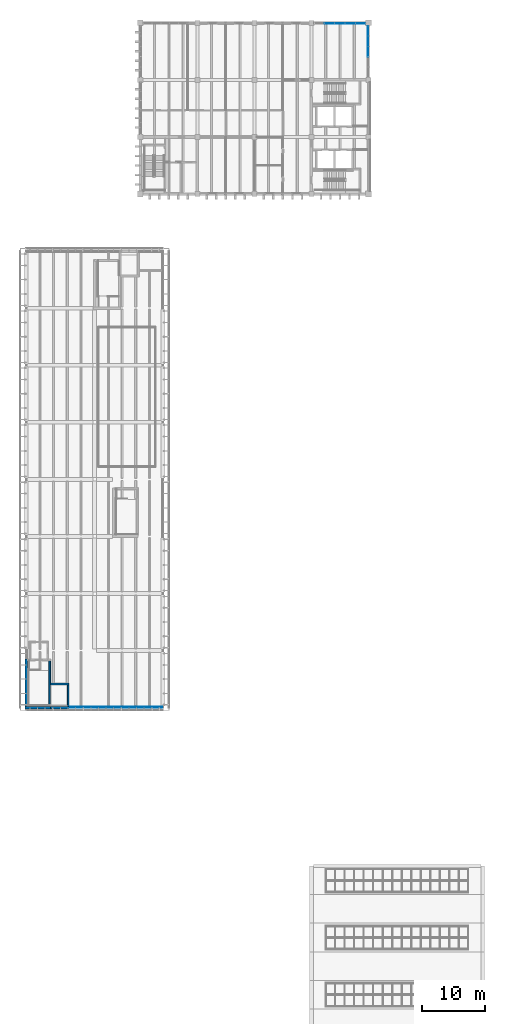
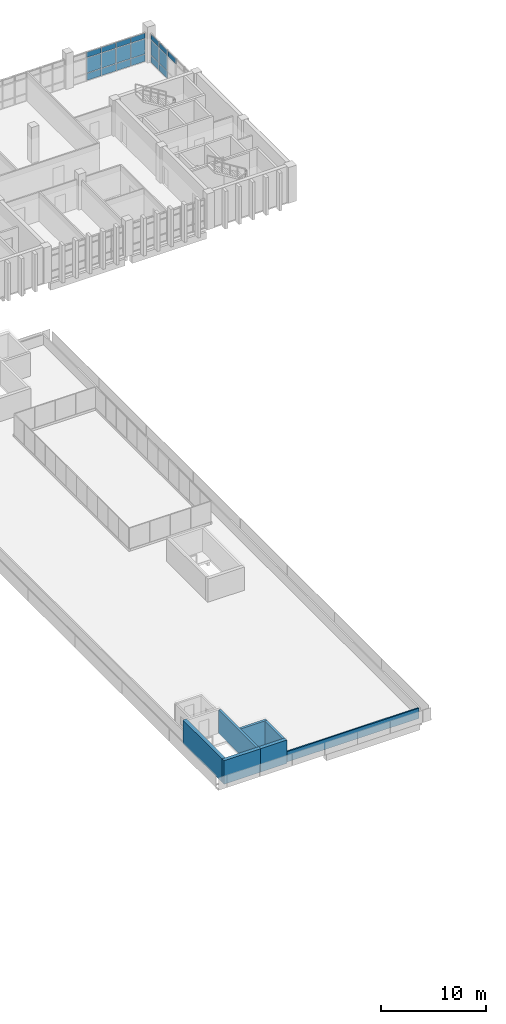
# One storey, part 17 of 29: 19 plates, 7 walls, 2 elements without a shape of their own.
"""IFC4 building model written with IfcOpenShell, lengths in metres."""

from ifc_helpers import new_model, si_unit, direction, frame, frame_2d, origin, origin_2d, place, context, subcontext, project, spatial, rectangle, extrude, material, layer, layer_set, type_object, element, aggregate, save


model = new_model("IFC4")

# Units and contexts
model_context = context("Model", 3, precision=1e-05, world=origin(), true_north=direction((0.0, 1.0)))
body_context = subcontext(model_context, "Body", "Model", "MODEL_VIEW")
ifc_project = project(units=[si_unit("LENGTHUNIT", "METRE"), si_unit("AREAUNIT", "SQUARE_METRE"), si_unit("VOLUMEUNIT", "CUBIC_METRE"), si_unit("PLANEANGLEUNIT", "RADIAN"), si_unit("MASSUNIT", "GRAM", prefix="KILO")], contexts=[model_context])

# Site, building, storey
site_placement = place(None, origin())
site = spatial("IfcSite", under=ifc_project, at=site_placement, CompositionType="ELEMENT")
building_placement = place(site_placement, origin())
building = spatial("IfcBuilding", under=site, at=building_placement, Name="Merrow Basin Faculty of Sciences", CompositionType="ELEMENT")
storey_placement = place(building_placement, frame((0.0, 0.0, 22.5)))
storey = spatial("IfcBuildingStorey", under=building, at=storey_placement, Name="L05", CompositionType="ELEMENT", Elevation=22.5)

# Curtain wall, plates
ifc_material_1 = material(Name="Aluminium alloy 6063", Category="aluminium")
curtain_wall_type = type_object("IfcCurtainWallType", Name="Unitised curtain wall 160", PredefinedType="NOTDEFINED", material=ifc_material_1)
curtain_wall_1_placement = place(storey_placement, origin())
curtain_wall_1 = element("IfcCurtainWall", 1, at=curtain_wall_1_placement, inside=storey, type_object=curtain_wall_type, Name="N curtain wall L05 7", PredefinedType="NOTDEFINED")
ifc_material_2 = material(Name="Insulated aluminium spandrel panel", Category="aluminium")
ifc_layer_1 = layer(ifc_material_2, 0.052001953125)
ifc_layer_set_1 = layer_set([ifc_layer_1], Name="Insulated spandrel panel 52")
plate_type_1 = type_object("IfcPlateType", Name="Insulated spandrel panel 52", PredefinedType="CURTAIN_PANEL", material=ifc_layer_set_1)
plate_1_placement = place(storey_placement, frame((47.844970703125, 168.919921875, 0.06005859375), z_axis=(0.0, 0.0, 1.0), x_axis=(1.0, 0.0, 0.0)))
plate_1 = element("IfcPlate", 2, at=plate_1_placement, type_object=plate_type_1, Name="CW3 panel 2.1", PredefinedType="CURTAIN_PANEL", context=body_context, shape_type="SweptSolid", body=[
    extrude(rectangle(XDim=1.570068359375, YDim=0.052001953125, at=origin_2d()), origin(), (0.0, 0.0, 1.0), 0.81005859375),
])
plate_2_placement = place(storey_placement, frame((49.47509765625, 168.919921875, 0.06005859375), z_axis=(0.0, 0.0, 1.0), x_axis=(1.0, 0.0, 0.0)))
plate_2 = element("IfcPlate", 3, at=plate_2_placement, type_object=plate_type_1, Name="CW3 panel 3.1", PredefinedType="CURTAIN_PANEL", context=body_context, shape_type="SweptSolid", body=[
    extrude(rectangle(XDim=1.570068359375, YDim=0.052001953125, at=origin_2d()), origin(), (0.0, 0.0, 1.0), 0.81005859375),
])
plate_3_placement = place(storey_placement, frame((51.10498046875, 168.919921875, 0.06005859375), z_axis=(0.0, 0.0, 1.0), x_axis=(1.0, 0.0, 0.0)))
plate_3 = element("IfcPlate", 4, at=plate_3_placement, type_object=plate_type_1, Name="CW3 panel 4.1", PredefinedType="CURTAIN_PANEL", context=body_context, shape_type="SweptSolid", body=[
    extrude(rectangle(XDim=1.570068359375, YDim=0.052001953125, at=origin_2d()), origin(), (0.0, 0.0, 1.0), 0.81005859375),
])
plate_4_placement = place(storey_placement, frame((52.719970703125, 168.919921875, 0.06005859375), z_axis=(0.0, 0.0, 1.0), x_axis=(1.0, 0.0, 0.0)))
plate_4 = element("IfcPlate", 5, at=plate_4_placement, type_object=plate_type_1, Name="CW3 panel 5.1", PredefinedType="CURTAIN_PANEL", context=body_context, shape_type="SweptSolid", body=[
    extrude(rectangle(XDim=1.5400390625, YDim=0.052001953125, at=origin_2d()), origin(), (0.0, 0.0, 1.0), 0.81005859375),
])

curtain_wall_2_placement = place(storey_placement, origin())
curtain_wall_2 = element("IfcCurtainWall", 6, at=curtain_wall_2_placement, inside=storey, type_object=curtain_wall_type, Name="E curtain wall L05 1", PredefinedType="NOTDEFINED")
plate_5_placement = place(storey_placement, frame((53.919921875, 166.10498046875, 0.06005859375), z_axis=(0.0, 0.0, 1.0), x_axis=(0.0, 1.0, 0.0)))
plate_5 = element("IfcPlate", 7, at=plate_5_placement, type_object=plate_type_1, Name="CW3 panel 4.1", PredefinedType="CURTAIN_PANEL", context=body_context, shape_type="SweptSolid", body=[
    extrude(rectangle(XDim=1.570068359375, YDim=0.052001953125, at=origin_2d()), origin(), (0.0, 0.0, 1.0), 0.81005859375),
])
plate_6_placement = place(storey_placement, frame((53.919921875, 167.719970703125, 0.06005859375), z_axis=(0.0, 0.0, 1.0), x_axis=(0.0, 1.0, 0.0)))
plate_6 = element("IfcPlate", 8, at=plate_6_placement, type_object=plate_type_1, Name="CW3 panel 5.1", PredefinedType="CURTAIN_PANEL", context=body_context, shape_type="SweptSolid", body=[
    extrude(rectangle(XDim=1.5400390625, YDim=0.052001953125, at=origin_2d()), origin(), (0.0, 0.0, 1.0), 0.81005859375),
])

# Plate
ifc_material_3 = material(Name="Low-E double glazing", Category="glass")
ifc_layer_2 = layer(ifc_material_3, 0.028076171875)
ifc_layer_set_2 = layer_set([ifc_layer_2], Name="Low-E double glazed panel 28")
plate_type_2 = type_object("IfcPlateType", Name="Low-E double glazed panel 28", PredefinedType="CURTAIN_PANEL", material=ifc_layer_set_2)
plate_7_placement = place(storey_placement, frame((47.844970703125, 168.919921875, 0.93017578125), z_axis=(0.0, 0.0, 1.0), x_axis=(1.0, 0.0, 0.0)))
plate_7 = element("IfcPlate", 9, at=plate_7_placement, type_object=plate_type_2, Name="CW3 panel 2.2", PredefinedType="CURTAIN_PANEL", context=body_context, shape_type="SweptSolid", body=[
    extrude(rectangle(XDim=1.570068359375, YDim=0.028076171875, at=origin_2d()), origin(), (0.0, 0.0, 1.0), 1.739990234375),
])

plate_8_placement = place(storey_placement, frame((47.844970703125, 168.919921875, 2.72998046875), z_axis=(0.0, 0.0, 1.0), x_axis=(1.0, 0.0, 0.0)))
plate_8 = element("IfcPlate", 10, at=plate_8_placement, type_object=plate_type_2, Name="CW3 panel 2.3", PredefinedType="CURTAIN_PANEL", context=body_context, shape_type="SweptSolid", body=[
    extrude(rectangle(XDim=1.570068359375, YDim=0.028076171875, at=origin_2d()), origin(), (0.0, 0.0, 1.0), 0.610107421875),
])

plate_9_placement = place(storey_placement, frame((49.47509765625, 168.919921875, 0.93017578125), z_axis=(0.0, 0.0, 1.0), x_axis=(1.0, 0.0, 0.0)))
plate_9 = element("IfcPlate", 11, at=plate_9_placement, type_object=plate_type_2, Name="CW3 panel 3.2", PredefinedType="CURTAIN_PANEL", context=body_context, shape_type="SweptSolid", body=[
    extrude(rectangle(XDim=1.570068359375, YDim=0.028076171875, at=origin_2d()), origin(), (0.0, 0.0, 1.0), 1.739990234375),
])

plate_10_placement = place(storey_placement, frame((49.47509765625, 168.919921875, 2.72998046875), z_axis=(0.0, 0.0, 1.0), x_axis=(1.0, 0.0, 0.0)))
plate_10 = element("IfcPlate", 12, at=plate_10_placement, type_object=plate_type_2, Name="CW3 panel 3.3", PredefinedType="CURTAIN_PANEL", context=body_context, shape_type="SweptSolid", body=[
    extrude(rectangle(XDim=1.570068359375, YDim=0.028076171875, at=origin_2d()), origin(), (0.0, 0.0, 1.0), 0.610107421875),
])

plate_11_placement = place(storey_placement, frame((51.10498046875, 168.919921875, 0.93017578125), z_axis=(0.0, 0.0, 1.0), x_axis=(1.0, 0.0, 0.0)))
plate_11 = element("IfcPlate", 13, at=plate_11_placement, type_object=plate_type_2, Name="CW3 panel 4.2", PredefinedType="CURTAIN_PANEL", context=body_context, shape_type="SweptSolid", body=[
    extrude(rectangle(XDim=1.570068359375, YDim=0.028076171875, at=origin_2d()), origin(), (0.0, 0.0, 1.0), 1.739990234375),
])

plate_12_placement = place(storey_placement, frame((51.10498046875, 168.919921875, 2.72998046875), z_axis=(0.0, 0.0, 1.0), x_axis=(1.0, 0.0, 0.0)))
plate_12 = element("IfcPlate", 14, at=plate_12_placement, type_object=plate_type_2, Name="CW3 panel 4.3", PredefinedType="CURTAIN_PANEL", context=body_context, shape_type="SweptSolid", body=[
    extrude(rectangle(XDim=1.570068359375, YDim=0.028076171875, at=origin_2d()), origin(), (0.0, 0.0, 1.0), 0.610107421875),
])

plate_13_placement = place(storey_placement, frame((52.719970703125, 168.919921875, 0.93017578125), z_axis=(0.0, 0.0, 1.0), x_axis=(1.0, 0.0, 0.0)))
plate_13 = element("IfcPlate", 15, at=plate_13_placement, type_object=plate_type_2, Name="CW3 panel 5.2", PredefinedType="CURTAIN_PANEL", context=body_context, shape_type="SweptSolid", body=[
    extrude(rectangle(XDim=1.5400390625, YDim=0.028076171875, at=origin_2d()), origin(), (0.0, 0.0, 1.0), 1.739990234375),
])

plate_14_placement = place(storey_placement, frame((52.719970703125, 168.919921875, 2.72998046875), z_axis=(0.0, 0.0, 1.0), x_axis=(1.0, 0.0, 0.0)))
plate_14 = element("IfcPlate", 16, at=plate_14_placement, type_object=plate_type_2, Name="CW3 panel 5.3", PredefinedType="CURTAIN_PANEL", context=body_context, shape_type="SweptSolid", body=[
    extrude(rectangle(XDim=1.5400390625, YDim=0.028076171875, at=origin_2d()), origin(), (0.0, 0.0, 1.0), 0.610107421875),
])

aggregate(curtain_wall_1, [plate_1, plate_7, plate_8, plate_2, plate_9, plate_10, plate_3, plate_11, plate_12, plate_4, plate_13, plate_14])

plate_15_placement = place(storey_placement, frame((53.919921875, 164.47509765625, 2.72998046875), z_axis=(0.0, 0.0, 1.0), x_axis=(0.0, 1.0, 0.0)))
plate_15 = element("IfcPlate", 17, at=plate_15_placement, type_object=plate_type_2, Name="CW3 panel 3.3", PredefinedType="CURTAIN_PANEL", context=body_context, shape_type="SweptSolid", body=[
    extrude(rectangle(XDim=1.570068359375, YDim=0.028076171875, at=origin_2d()), origin(), (0.0, 0.0, 1.0), 0.610107421875),
])

plate_16_placement = place(storey_placement, frame((53.919921875, 166.10498046875, 0.93017578125), z_axis=(0.0, 0.0, 1.0), x_axis=(0.0, 1.0, 0.0)))
plate_16 = element("IfcPlate", 18, at=plate_16_placement, type_object=plate_type_2, Name="CW3 panel 4.2", PredefinedType="CURTAIN_PANEL", context=body_context, shape_type="SweptSolid", body=[
    extrude(rectangle(XDim=1.570068359375, YDim=0.028076171875, at=origin_2d()), origin(), (0.0, 0.0, 1.0), 1.739990234375),
])

plate_17_placement = place(storey_placement, frame((53.919921875, 166.10498046875, 2.72998046875), z_axis=(0.0, 0.0, 1.0), x_axis=(0.0, 1.0, 0.0)))
plate_17 = element("IfcPlate", 19, at=plate_17_placement, type_object=plate_type_2, Name="CW3 panel 4.3", PredefinedType="CURTAIN_PANEL", context=body_context, shape_type="SweptSolid", body=[
    extrude(rectangle(XDim=1.570068359375, YDim=0.028076171875, at=origin_2d()), origin(), (0.0, 0.0, 1.0), 0.610107421875),
])

plate_18_placement = place(storey_placement, frame((53.919921875, 167.719970703125, 0.93017578125), z_axis=(0.0, 0.0, 1.0), x_axis=(0.0, 1.0, 0.0)))
plate_18 = element("IfcPlate", 20, at=plate_18_placement, type_object=plate_type_2, Name="CW3 panel 5.2", PredefinedType="CURTAIN_PANEL", context=body_context, shape_type="SweptSolid", body=[
    extrude(rectangle(XDim=1.5400390625, YDim=0.028076171875, at=origin_2d()), origin(), (0.0, 0.0, 1.0), 1.739990234375),
])

plate_19_placement = place(storey_placement, frame((53.919921875, 167.719970703125, 2.72998046875), z_axis=(0.0, 0.0, 1.0), x_axis=(0.0, 1.0, 0.0)))
plate_19 = element("IfcPlate", 21, at=plate_19_placement, type_object=plate_type_2, Name="CW3 panel 5.3", PredefinedType="CURTAIN_PANEL", context=body_context, shape_type="SweptSolid", body=[
    extrude(rectangle(XDim=1.5400390625, YDim=0.028076171875, at=origin_2d()), origin(), (0.0, 0.0, 1.0), 0.610107421875),
])

aggregate(curtain_wall_2, [plate_15, plate_5, plate_16, plate_17, plate_6, plate_18, plate_19])

# Walls
ifc_material_4 = material(Name="Precast concrete C40/50", Category="concrete")
ifc_layer_3 = layer(ifc_material_4, 0.14990234375)
ifc_layer_set_3 = layer_set([ifc_layer_3], Name="Parapet 150 Precast concrete C40/50")
wall_type_1 = type_object("IfcWallType", Name="Parapet 150 Precast concrete C40/50", PredefinedType="PARAPET", material=ifc_layer_set_3)
wall_1_placement = place(storey_placement, frame((21.449951171875, 61.074951171875, 0.0), z_axis=(0.0, 0.0, 1.0), x_axis=(-1.0, 0.0, 0.0)))
element("IfcWall", 22, at=wall_1_placement, inside=storey, type_object=wall_type_1, Name="South parapet 1", PredefinedType="PARAPET", context=body_context, shape_type="SweptSolid", body=[
    extrude(rectangle(XDim=14.699951171875, YDim=0.14990234375, at=frame_2d((7.35009765625, 0.0))), origin(), (0.0, 0.0, 1.0), 1.199951171875),
])
ifc_material_5 = material(Name="Concrete C40/50", Category="concrete")
ifc_layer_4 = layer(ifc_material_5, 0.25)
ifc_layer_set_4 = layer_set([ifc_layer_4], Name="Shear wall 250 Concrete C40/50")
wall_type_2 = type_object("IfcWallType", Name="Shear wall 250 Concrete C40/50", PredefinedType="SHEAR", material=ifc_layer_set_4)
wall_2_placement = place(storey_placement, frame((3.72509765625, 61.199951171875, 0.0), z_axis=(0.0, 0.0, 1.0), x_axis=(0.0, 1.0, 0.0)))
element("IfcWall", 23, at=wall_2_placement, inside=storey, type_object=wall_type_2, Name="SW2 L05 004", PredefinedType="SHEAR", context=body_context, shape_type="SweptSolid", body=[
    extrude(rectangle(XDim=7.199951171875, YDim=0.25, at=frame_2d((3.60009765625, 0.0))), origin(), (0.0, 0.0, 1.0), 2.75),
])
wall_3_placement = place(storey_placement, frame((3.85009765625, 64.72509765625, 0.0), z_axis=(0.0, 0.0, 1.0), x_axis=(1.0, 0.0, 0.0)))
element("IfcWall", 24, at=wall_3_placement, inside=storey, type_object=wall_type_2, Name="SW2 L05 006", PredefinedType="SHEAR", context=body_context, shape_type="SweptSolid", body=[
    extrude(rectangle(XDim=2.89990234375, YDim=0.25, at=frame_2d((1.449951171875, 0.0))), origin(), (0.0, 0.0, 1.0), 2.75),
])
wall_4_placement = place(storey_placement, frame((6.625, 61.199951171875, 0.0), z_axis=(0.0, 0.0, 1.0), x_axis=(0.0, 1.0, 0.0)))
element("IfcWall", 25, at=wall_4_placement, inside=storey, type_object=wall_type_2, Name="SW2 L05 007", PredefinedType="SHEAR", context=body_context, shape_type="SweptSolid", body=[
    extrude(rectangle(XDim=3.400146484375, YDim=0.25, at=frame_2d((1.7001953125, 0.0))), origin(), (0.0, 0.0, 1.0), 2.75),
])
ifc_material_6 = material(Name="Concrete C40/50", Category="concrete")
ifc_layer_5 = layer(ifc_material_6, 0.39990234375)
ifc_layer_set_5 = layer_set([ifc_layer_5], Name="Shear wall 400 Concrete C40/50")
wall_type_3 = type_object("IfcWallType", Name="Shear wall 400 Concrete C40/50", PredefinedType="SHEAR", material=ifc_layer_set_5)
wall_5_placement = place(storey_placement, frame((-0.199951171875, 61.0, 0.0), z_axis=(0.0, 0.0, 1.0), x_axis=(1.0, 0.0, 0.0)))
element("IfcWall", 26, at=wall_5_placement, inside=storey, type_object=wall_type_3, Name="SW1 L05 001", PredefinedType="SHEAR", context=body_context, shape_type="SweptSolid", body=[
    extrude(rectangle(XDim=4.050048828125, YDim=0.39990234375, at=frame_2d((2.02490234375, 0.0))), origin(), (0.0, 0.0, 1.0), 2.75),
])
wall_6_placement = place(storey_placement, frame((0.0, 61.199951171875, 0.0), z_axis=(0.0, 0.0, 1.0), x_axis=(0.0, 1.0, 0.0)))
element("IfcWall", 27, at=wall_6_placement, inside=storey, type_object=wall_type_3, Name="SW1 L05 003", PredefinedType="SHEAR", context=body_context, shape_type="SweptSolid", body=[
    extrude(rectangle(XDim=7.449951171875, YDim=0.39990234375, at=frame_2d((3.72509765625, 0.0))), origin(), (0.0, 0.0, 1.0), 2.75),
])
wall_7_placement = place(storey_placement, frame((3.85009765625, 61.0, 0.0), z_axis=(0.0, 0.0, 1.0), x_axis=(1.0, 0.0, 0.0)))
element("IfcWall", 28, at=wall_7_placement, inside=storey, type_object=wall_type_3, Name="SW1 L05 005", PredefinedType="SHEAR", context=body_context, shape_type="SweptSolid", body=[
    extrude(rectangle(XDim=2.89990234375, YDim=0.39990234375, at=frame_2d((1.449951171875, 0.0))), origin(), (0.0, 0.0, 1.0), 2.75),
])

save(model, "model.ifc")
